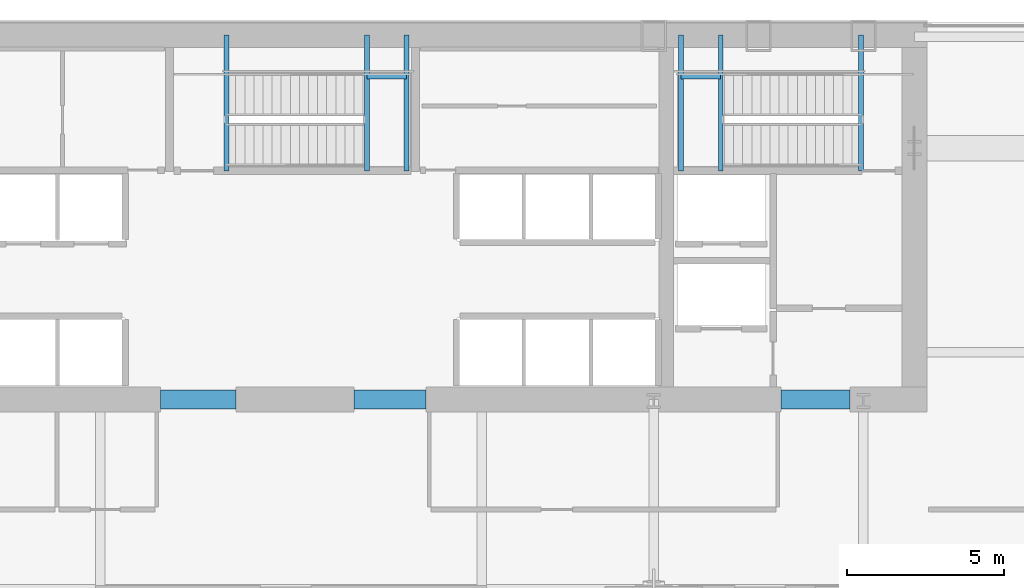
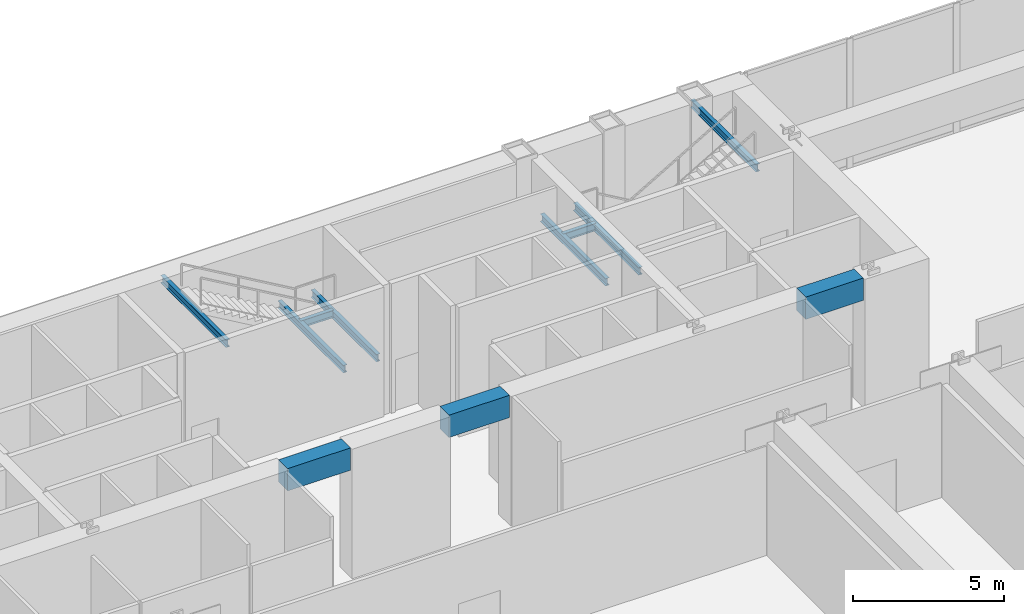
# One storey, part 12 of 26: 11 beams.
"""IFC4 building model written with IfcOpenShell, lengths in metres."""

import ifcopenshell
import ifcopenshell.guid

model = None  # the IFC model being written
_history = None  # IfcOwnerHistory: only IFC2X3 demands one
_inside = {}  # id of a spatial element -> (the spatial element, [elements in it])
_under = {}  # id of a project, library or spatial element -> (it, [spatial elements below it])
_declared = {}  # id of a project -> (the project, [libraries it declares])
_typed = {}  # id of a type object -> (the type object, [elements of that type])
_made_of = {}  # id of a material, layer set ... -> (it, [elements and type objects made of it])


def new_model(schema):
    """Start an empty IFC model of exactly this schema.

    Asked for "IFC4X3", IfcOpenShell would pick the latest addendum, in which some entities
    have other attributes; the version numbers below select the first issue.
    IFC2X3 requires an IfcOwnerHistory on every rooted entity: one is made here for all.
    """
    global model, _history
    if schema == "IFC4X3":
        model = ifcopenshell.file(schema_version=(4, 3, 0, 0))
    else:
        model = ifcopenshell.file(schema=schema)
    _inside.clear()
    _under.clear()
    _declared.clear()
    _typed.clear()
    _made_of.clear()
    _history = None
    if model.schema == "IFC2X3":
        org = make("IfcOrganization", Name="unknown")
        user = make(
            "IfcPersonAndOrganization",
            ThePerson=make("IfcPerson", FamilyName="unknown"),
            TheOrganization=org,
        )
        app = make(
            "IfcApplication",
            ApplicationDeveloper=org,
            Version="unknown",
            ApplicationFullName="unknown",
            ApplicationIdentifier="unknown",
        )
        _history = make(
            "IfcOwnerHistory",
            OwningUser=user,
            OwningApplication=app,
            ChangeAction="ADDED",
            CreationDate=0,
        )
    return model


def make(cls, **values):
    """One entity of the class cls with the attributes given. An attribute that is None is left unset."""
    return model.create_entity(
        cls, **{name: value for name, value in values.items() if value is not None}
    )


def rooted(cls, **values):
    """An entity with a GlobalId (a new one), such as an element, a storey or a relation."""
    return make(cls, GlobalId=ifcopenshell.guid.new(), OwnerHistory=_history, **values)


def si_unit(unit_type, name, prefix=None):
    """IfcSIUnit, for example si_unit("LENGTHUNIT", "METRE", prefix="MILLI")."""
    return make("IfcSIUnit", UnitType=unit_type, Prefix=prefix, Name=name)


def assignment(units):
    """IfcUnitAssignment: the units of a project."""
    return None if units is None else make("IfcUnitAssignment", Units=units)


def point(xyz):
    """IfcCartesianPoint."""
    return None if xyz is None else make("IfcCartesianPoint", Coordinates=xyz)


def direction(xyz):
    """IfcDirection."""
    return None if xyz is None else make("IfcDirection", DirectionRatios=xyz)


def frame(location, z_axis=None, x_axis=None):
    """IfcAxis2Placement3D, a coordinate frame: its origin and axes. An axis left out is left unset."""
    return make(
        "IfcAxis2Placement3D",
        Location=point(location),
        Axis=direction(z_axis),
        RefDirection=direction(x_axis),
    )


def frame_2d(location, x_axis=None):
    """IfcAxis2Placement2D, a coordinate frame in the plane: its origin and x axis."""
    return make(
        "IfcAxis2Placement2D", Location=point(location), RefDirection=direction(x_axis)
    )


def origin():
    """The frame at (0, 0, 0) with its axes left unset."""
    return frame((0.0, 0.0, 0.0))


def origin_2d():
    """The frame at (0, 0) in the plane with its x axis left unset."""
    return frame_2d((0.0, 0.0))


def place(relative_to, where):
    """IfcLocalPlacement: puts the frame where relative to a parent placement (None: the world)."""
    return make(
        "IfcLocalPlacement", PlacementRelTo=relative_to, RelativePlacement=where
    )


def context(
    kind, dimensions, precision=None, world=None, true_north=None, identifier=None
):
    """IfcGeometricRepresentationContext, for example the 3D "Model" context."""
    return make(
        "IfcGeometricRepresentationContext",
        ContextIdentifier=identifier,
        ContextType=kind,
        CoordinateSpaceDimension=dimensions,
        Precision=precision,
        WorldCoordinateSystem=world,
        TrueNorth=true_north,
    )


def subcontext(parent, identifier, kind, view, scale=None):
    """IfcGeometricRepresentationSubContext, for example "Body" below "Model"."""
    return make(
        "IfcGeometricRepresentationSubContext",
        ContextIdentifier=identifier,
        ContextType=kind,
        ParentContext=parent,
        TargetScale=scale,
        TargetView=view,
    )


def project(units=None, contexts=None):
    """IfcProject with its units and contexts."""
    return rooted(
        "IfcProject",
        Name="project",
        RepresentationContexts=contexts,
        UnitsInContext=assignment(units),
    )


def spatial(cls, under=None, at=None, **own):
    """A site, building, storey or space (cls), placed at a placement, below another one or the project."""
    s = rooted(cls, ObjectPlacement=at, **own)
    if under is not None:
        _under.setdefault(under.id(), (under, []))[1].append(s)
    return s


def profile(cls, at=None, kind="AREA", **sizes):
    """A parametric profile (cls). Its sizes go by their IFC names, for example OverallWidth=200.0."""
    return make(cls, ProfileType=kind, Position=at, **sizes)


def rectangle(**sizes):
    """IfcRectangleProfileDef."""
    return profile("IfcRectangleProfileDef", **sizes)


def i_section(**sizes):
    """IfcIShapeProfileDef."""
    return profile("IfcIShapeProfileDef", **sizes)


def extrude(swept, where, along, depth):
    """IfcExtrudedAreaSolid: the profile swept, set in the frame where, extruded along a direction by depth."""
    return make(
        "IfcExtrudedAreaSolid",
        SweptArea=swept,
        Position=where,
        ExtrudedDirection=direction(along),
        Depth=depth,
    )


def shape(context_of_items, identifier, shape_type, items):
    """IfcShapeRepresentation: the items that make up one representation, for example the "Body"."""
    return make(
        "IfcShapeRepresentation",
        ContextOfItems=context_of_items,
        RepresentationIdentifier=identifier,
        RepresentationType=shape_type,
        Items=items,
    )


def material(Name=None, Category=None):
    """IfcMaterial."""
    return make("IfcMaterial", Name=Name, Category=Category)


def material_profile(
    of_material, cross_section, Name=None, Category=None, Priority=None
):
    """IfcMaterialProfile: a cross section and its material."""
    return make(
        "IfcMaterialProfile",
        Name=Name,
        Material=of_material,
        Profile=cross_section,
        Priority=Priority,
        Category=Category,
    )


def profile_set(profiles, Name=None, composite=None):
    """IfcMaterialProfileSet."""
    return make(
        "IfcMaterialProfileSet",
        Name=Name,
        MaterialProfiles=profiles,
        CompositeProfile=composite,
    )


def made_of(thing, what):
    """Note that an element or type object is made of a material, layer set ...; save() writes the relation."""
    if what is not None:
        _made_of.setdefault(what.id(), (what, []))[1].append(thing)
    return thing


def type_object(cls, material=None, **own):
    """A type object (cls), such as IfcWallType, which elements share."""
    return made_of(rooted(cls, **own), material)


def element(
    cls,
    number,
    at=None,
    inside=None,
    cuts=None,
    type_object=None,
    material=None,
    context=None,
    identifier="Body",
    shape_type=None,
    held_by="IfcProductDefinitionShape",
    body=None,
    shapes=None,
    **own,
):
    """One element of the class cls, such as IfcWall. Its Tag is "e" and its number.

    at: its placement. inside: the storey or other place that contains it. cuts: it is an
    opening in that element (IfcRelVoidsElement). A single representation is given by context,
    identifier, shape_type and body (its items); several are given by shapes. held_by: the class
    of the entity that holds the representations. save() writes the other relations.
    """
    e = rooted(cls, Tag="e%d" % number, ObjectPlacement=at, **own)
    if body is not None:
        shapes = [shape(context, identifier, shape_type, body)]
    if shapes is not None:
        e.Representation = make(held_by, Representations=shapes)
    if inside is not None:
        _inside.setdefault(inside.id(), (inside, []))[1].append(e)
    if cuts is not None:
        rooted(
            "IfcRelVoidsElement", RelatingBuildingElement=cuts, RelatedOpeningElement=e
        )
    if type_object is not None:
        _typed.setdefault(type_object.id(), (type_object, []))[1].append(e)
    return made_of(e, material)


def aggregate(whole, parts):
    """IfcRelAggregates: a whole, such as a stair, and the parts it consists of."""
    return rooted("IfcRelAggregates", RelatingObject=whole, RelatedObjects=parts)


def save(model, path):
    """Write the relations noted so far, then the file.

    IfcRelAggregates (storeys below a building ...), IfcRelContainedInSpatialStructure (elements
    in a storey), IfcRelDefinesByType, IfcRelAssociatesMaterial and IfcRelDeclares: one each for
    every whole, place, type object, material and project.
    """
    for whole, parts in _under.values():
        aggregate(whole, parts)
    for where, things in _inside.values():
        rooted(
            "IfcRelContainedInSpatialStructure",
            RelatedElements=things,
            RelatingStructure=where,
        )
    for kind, things in _typed.values():
        rooted("IfcRelDefinesByType", RelatedObjects=things, RelatingType=kind)
    for what, things in _made_of.values():
        rooted("IfcRelAssociatesMaterial", RelatedObjects=things, RelatingMaterial=what)
    for by, libraries in _declared.values():
        rooted("IfcRelDeclares", RelatingContext=by, RelatedDefinitions=libraries)
    model.write(path)


model = new_model("IFC4")

# Units and contexts
model_context = context("Model", 3, precision=1e-05, world=origin(), true_north=direction((0.0, 1.0)))
body_context = subcontext(model_context, "Body", "Model", "MODEL_VIEW")
ifc_project = project(units=[si_unit("LENGTHUNIT", "METRE"), si_unit("AREAUNIT", "SQUARE_METRE"), si_unit("VOLUMEUNIT", "CUBIC_METRE"), si_unit("PLANEANGLEUNIT", "RADIAN"), si_unit("MASSUNIT", "GRAM", prefix="KILO")], contexts=[model_context])

# Site, building, storey
site_placement = place(None, origin())
site = spatial("IfcSite", under=ifc_project, at=site_placement, CompositionType="ELEMENT")
building_placement = place(site_placement, origin())
building = spatial("IfcBuilding", under=site, at=building_placement, Name="Khoronbel Lancet Exchange", CompositionType="ELEMENT")
storey_placement = place(building_placement, frame((0.0, 0.0, 20.39990234375)))
storey = spatial("IfcBuildingStorey", under=building, at=storey_placement, Name="L04", CompositionType="ELEMENT", Elevation=20.39990234375)

# Beams
ifc_material_1 = material(Name="Steel S355", Category="steel")
ifc_material_profile_1 = material_profile(ifc_material_1, i_section(OverallWidth=0.14990234375, OverallDepth=0.300048828125, WebThickness=0.007080078125, FlangeThickness=0.0107421875, at=origin_2d()), Name="IPE 300")
ifc_profile_set_1 = profile_set([ifc_material_profile_1], Name="Steel S355")
beam_type_1 = type_object("IfcBeamType", Name="BM-BJ8", PredefinedType="JOIST", material=ifc_profile_set_1)
for number, where, z_axis, x_axis, name in (
    (1, (50.1298828125, 48.97998046875, 2.35009765625), (0.0, 1.0, 0.0), (-1.0, 0.0, 0.0), "Level L04 stair ST2 landing bearer beam 1"),
    (2, (48.8701171875, 48.97998046875, 2.35009765625), (0.0, 1.0, 0.0), (-1.0, 0.0, 0.0), "Level L04 stair ST2 rear landing bearer beam 1"),
):
    element("IfcBeam", number, at=place(storey_placement, frame(where, z_axis=z_axis, x_axis=x_axis)), inside=storey, type_object=beam_type_1, Name=name, PredefinedType="JOIST", context=body_context, shape_type="SweptSolid", body=[
        extrude(i_section(OverallWidth=0.14990234375, OverallDepth=0.300048828125, WebThickness=0.007080078125, FlangeThickness=0.0107421875, at=origin_2d()), origin(), (0.0, 0.0, 1.0), 4.320068359375),
    ])
beam_1_placement = place(storey_placement, frame((48.8701171875, 51.97998046875, 2.35009765625), z_axis=(1.0, 0.0, 0.0), x_axis=(0.0, 1.0, 0.0)))
element("IfcBeam", 3, at=beam_1_placement, inside=storey, type_object=beam_type_1, Name="Level L04 stair ST2 landing cross trimmer beam 1", PredefinedType="JOIST", context=body_context, shape_type="SweptSolid", body=[
    extrude(i_section(OverallWidth=0.14990234375, OverallDepth=0.300048828125, WebThickness=0.007080078125, FlangeThickness=0.0107421875, at=origin_2d()), origin(), (0.0, 0.0, 1.0), 1.259765625),
])
for number, where, z_axis, x_axis, name in (
    (4, (54.60009765625, 48.97998046875, 4.940185546875), (0.0, 1.0, 0.0), (-1.0, 0.0, 0.0), "Level L04 stair ST2 upper-flight arrival trimmer beam"),
    (5, (38.8701171875, 48.97998046875, 2.35009765625), (0.0, 1.0, 0.0), (-1.0, 0.0, 0.0), "Level L04 stair ST3 landing bearer beam 1"),
    (6, (40.1298828125, 48.97998046875, 2.35009765625), (0.0, 1.0, 0.0), (-1.0, 0.0, 0.0), "Level L04 stair ST3 rear landing bearer beam 1"),
):
    element("IfcBeam", number, at=place(storey_placement, frame(where, z_axis=z_axis, x_axis=x_axis)), inside=storey, type_object=beam_type_1, Name=name, PredefinedType="JOIST", context=body_context, shape_type="SweptSolid", body=[
        extrude(i_section(OverallWidth=0.14990234375, OverallDepth=0.300048828125, WebThickness=0.007080078125, FlangeThickness=0.0107421875, at=origin_2d()), origin(), (0.0, 0.0, 1.0), 4.320068359375),
    ])
beam_2_placement = place(storey_placement, frame((38.8701171875, 51.97998046875, 2.35009765625), z_axis=(1.0, 0.0, 0.0), x_axis=(0.0, 1.0, 0.0)))
element("IfcBeam", 7, at=beam_2_placement, inside=storey, type_object=beam_type_1, Name="Level L04 stair ST3 landing cross trimmer beam 1", PredefinedType="JOIST", context=body_context, shape_type="SweptSolid", body=[
    extrude(i_section(OverallWidth=0.14990234375, OverallDepth=0.300048828125, WebThickness=0.007080078125, FlangeThickness=0.0107421875, at=origin_2d()), origin(), (0.0, 0.0, 1.0), 1.259765625),
])
beam_3_placement = place(storey_placement, frame((34.39990234375, 48.97998046875, 4.940185546875), z_axis=(0.0, 1.0, 0.0), x_axis=(-1.0, 0.0, 0.0)))
element("IfcBeam", 8, at=beam_3_placement, inside=storey, type_object=beam_type_1, Name="Level L04 stair ST3 upper-flight arrival trimmer beam", PredefinedType="JOIST", context=body_context, shape_type="SweptSolid", body=[
    extrude(i_section(OverallWidth=0.14990234375, OverallDepth=0.300048828125, WebThickness=0.007080078125, FlangeThickness=0.0107421875, at=origin_2d()), origin(), (0.0, 0.0, 1.0), 4.320068359375),
])
ifc_material_2 = material(Name="Concrete C80/95", Category="concrete")
ifc_material_profile_2 = material_profile(ifc_material_2, rectangle(XDim=0.60009765625, YDim=0.89990234375, at=origin_2d()), Name="RC 600x900")
ifc_profile_set_2 = profile_set([ifc_material_profile_2], Name="Concrete C80/95")
beam_type_2 = type_object("IfcBeamType", Name="BM-BL1", PredefinedType="LINTEL", material=ifc_profile_set_2)
beam_4_placement = place(storey_placement, frame((32.300048828125, 41.699951171875, 4.77001953125), z_axis=(1.0, 0.0, 0.0), x_axis=(0.0, 1.0, 0.0)))
element("IfcBeam", 9, at=beam_4_placement, inside=storey, type_object=beam_type_2, Name="Level L04 rear core coupling lintel L2", PredefinedType="LINTEL", context=body_context, shape_type="SweptSolid", body=[
    extrude(rectangle(XDim=0.60009765625, YDim=0.89990234375, at=origin_2d()), origin(), (0.0, 0.0, 1.0), 2.39990234375),
])
beam_5_placement = place(storey_placement, frame((38.449951171875, 41.699951171875, 4.77001953125), z_axis=(1.0, 0.0, 0.0), x_axis=(0.0, 1.0, 0.0)))
element("IfcBeam", 10, at=beam_5_placement, inside=storey, type_object=beam_type_2, Name="Level L04 rear core coupling lintel L3", PredefinedType="LINTEL", context=body_context, shape_type="SweptSolid", body=[
    extrude(rectangle(XDim=0.60009765625, YDim=0.89990234375, at=origin_2d()), origin(), (0.0, 0.0, 1.0), 2.300048828125),
])
beam_6_placement = place(storey_placement, frame((52.050048828125, 41.699951171875, 4.77001953125), z_axis=(1.0, 0.0, 0.0), x_axis=(0.0, 1.0, 0.0)))
element("IfcBeam", 11, at=beam_6_placement, inside=storey, type_object=beam_type_2, Name="Level L04 rear core coupling lintel L4", PredefinedType="LINTEL", context=body_context, shape_type="SweptSolid", body=[
    extrude(rectangle(XDim=0.60009765625, YDim=0.89990234375, at=origin_2d()), origin(), (0.0, 0.0, 1.0), 2.199951171875),
])

save(model, "model.ifc")
